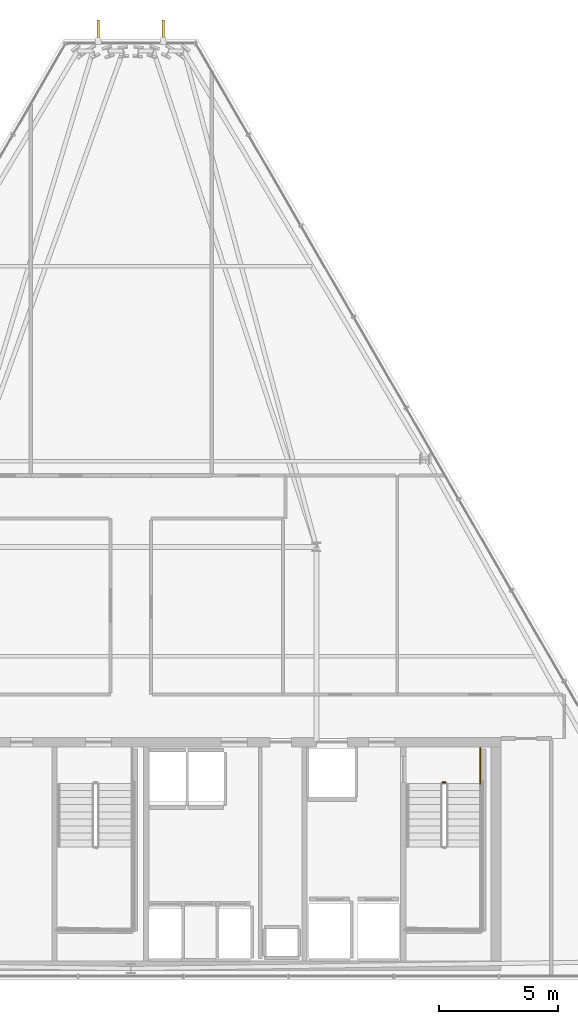
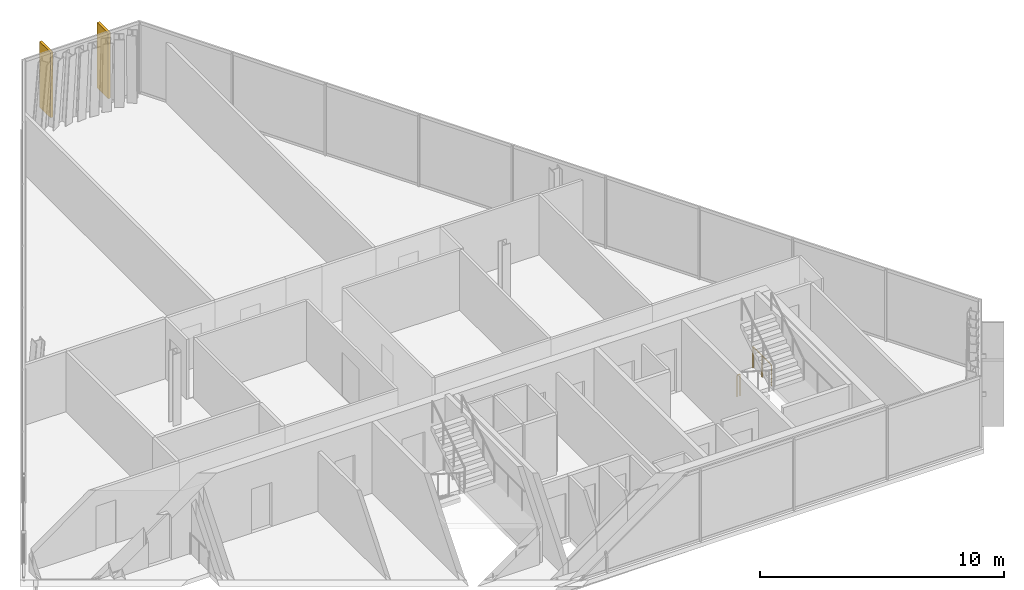
# One storey, part 34 of 34: 2 railings, 2 shading devices.
"""IFC4 building model written with IfcOpenShell, lengths in metres."""

from ifc_helpers import new_model, si_unit, direction, frame, origin, origin_2d, place, context, subcontext, project, spatial, rectangle, circle, extrude, material, layer, layer_set, type_object, element, save


model = new_model("IFC4")

# Units and contexts
model_context = context("Model", 3, precision=1e-05, world=origin(), true_north=direction((0.0, 1.0)))
body_context = subcontext(model_context, "Body", "Model", "MODEL_VIEW")
ifc_project = project(units=[si_unit("LENGTHUNIT", "METRE"), si_unit("AREAUNIT", "SQUARE_METRE"), si_unit("VOLUMEUNIT", "CUBIC_METRE"), si_unit("PLANEANGLEUNIT", "RADIAN"), si_unit("MASSUNIT", "GRAM", prefix="KILO")], contexts=[model_context])

# Site, building, storey
site_placement = place(None, origin())
site = spatial("IfcSite", under=ifc_project, at=site_placement, CompositionType="ELEMENT")
building_placement = place(site_placement, origin())
building = spatial("IfcBuilding", under=site, at=building_placement, Name="Ndaravel Arena Tower", CompositionType="ELEMENT")
storey_placement = place(building_placement, frame((0.0, 0.0, 267.39990234375)))
storey = spatial("IfcBuildingStorey", under=building, at=storey_placement, Name="L65", CompositionType="ELEMENT", Elevation=267.39990234375)

# Railings
ifc_material_1 = material(Name="Steel S355", Category="steel")
ifc_layer = layer(ifc_material_1, 0.06005859375)
ifc_layer_set = layer_set([ifc_layer], Name="Steel S355")
railing_type = type_object("IfcRailingType", Name="RAIL-STAIR-GD1100", PredefinedType="GUARDRAIL", material=ifc_layer_set)
railing_1_placement = place(storey_placement, frame((55.10009765625, 13.300048828125, 0.0)))
element("IfcRailing", 1, at=railing_1_placement, inside=storey, type_object=railing_type, Name="L65 ST-3 stair guard 4", PredefinedType="GUARDRAIL", context=body_context, shape_type="SweptSolid", body=[
    extrude(circle(Radius=0.02392578125, at=origin_2d()), frame((0.0, 0.0, 1.076171875), z_axis=(1.0, 0.0, 0.0), x_axis=(0.0, 1.0, 0.0)), (0.0, 0.0, 1.0), 0.139892578125),
    extrude(circle(Radius=0.02099609375, at=origin_2d()), origin(), (0.0, 0.0, 1.0), 1.052001953125),
    extrude(circle(Radius=0.02099609375, at=origin_2d()), frame((0.139892578125, 0.0, 0.0)), (0.0, 0.0, 1.0), 1.052001953125),
])
railing_2_placement = place(storey_placement, frame((56.68994140625, 14.75, 0.0)))
element("IfcRailing", 2, at=railing_2_placement, inside=storey, type_object=railing_type, Name="L65 ST-3 stair guard 5", PredefinedType="GUARDRAIL", context=body_context, shape_type="SweptSolid", body=[
    extrude(circle(Radius=0.02392578125, at=origin_2d()), frame((0.0, 0.0, 1.076171875), z_axis=(0.0, -1.0, 0.0), x_axis=(1.0, 0.0, 0.0)), (0.0, 0.0, 1.0), 1.5),
    extrude(circle(Radius=0.02099609375, at=origin_2d()), origin(), (0.0, 0.0, 1.0), 1.052001953125),
    extrude(circle(Radius=0.02099609375, at=origin_2d()), frame((0.0, -0.75, 0.0)), (0.0, 0.0, 1.0), 1.052001953125),
    extrude(circle(Radius=0.02099609375, at=origin_2d()), frame((0.0, -1.5, 0.0)), (0.0, 0.0, 1.0), 1.052001953125),
])

# Shading devices
ifc_material_2 = material(Name="Masonry", Category="masonry")
shading_device_type = type_object("IfcShadingDeviceType", Name="SHD-MAZERAS-FIN", PredefinedType="SHUTTER", material=ifc_material_2)
for number, where, z_axis, x_axis, name in (
    (3, (43.364990234375, 44.892333984375, 0.14990234375), (0.0, 0.0, 1.0), (0.0, 1.0, 0.0), "L65 Mazeras Stone Solar Fin E4.1"),
    (4, (40.635009765625, 44.892333984375, 0.14990234375), (0.0, 0.0, 1.0), (0.0, 1.0, 0.0), "L65 Mazeras Stone Solar Fin E4.2"),
):
    element("IfcShadingDevice", number, at=place(storey_placement, frame(where, z_axis=z_axis, x_axis=x_axis)), inside=storey, type_object=shading_device_type, Name=name, PredefinedType="SHUTTER", context=body_context, shape_type="SweptSolid", body=[
        extrude(rectangle(XDim=0.89990234375, YDim=0.1201171875, at=origin_2d()), origin(), (0.0, 0.0, 1.0), 3.280029296875),
    ])

save(model, "model.ifc")
